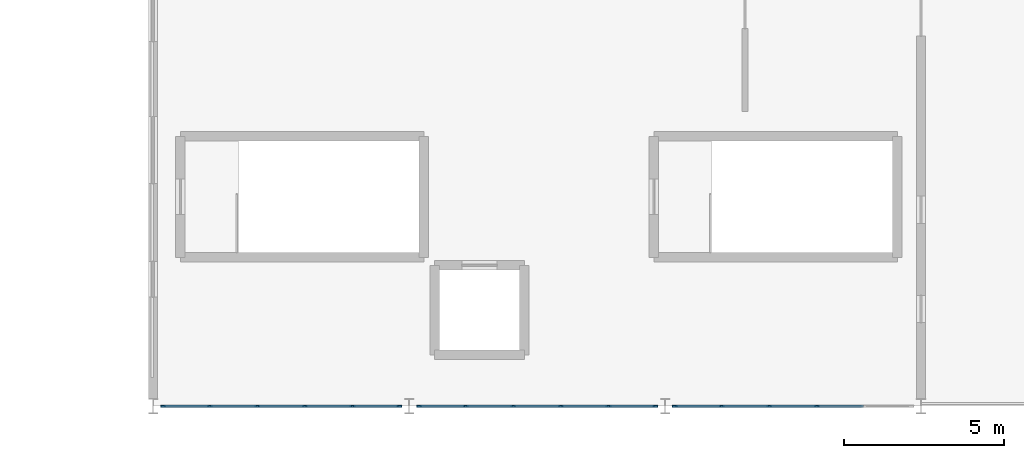
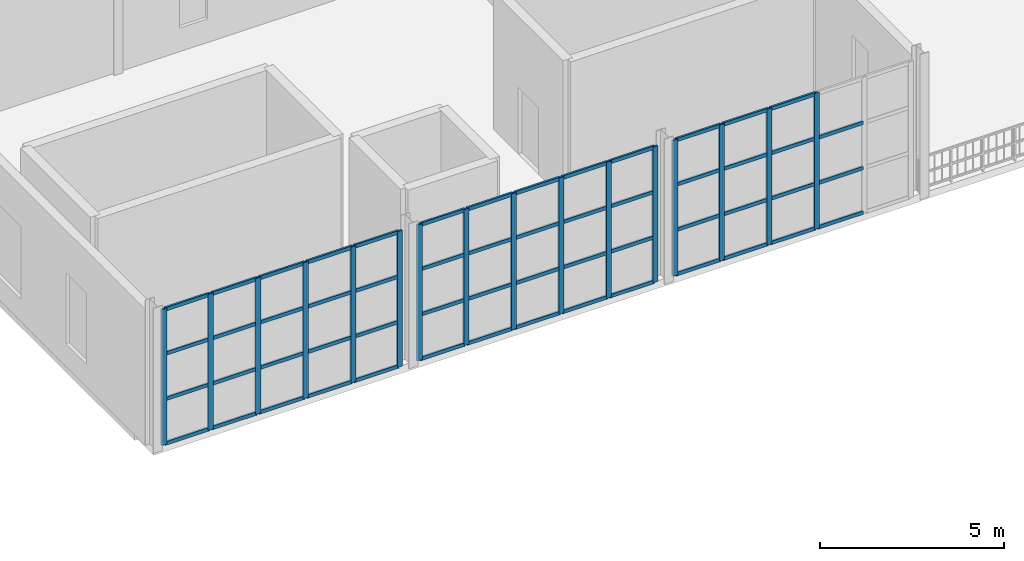
# One storey, part 15 of 61: 71 members, 3 elements without a shape of their own.
"""IFC4 building model written with IfcOpenShell, lengths in metres."""

from ifc_helpers import new_model, si_unit, direction, frame, origin, origin_2d, place, context, subcontext, project, spatial, rectangle, extrude, material, material_profile, profile_set, type_object, element, aggregate, save


model = new_model("IFC4")

# Units and contexts
model_context = context("Model", 3, precision=1e-05, world=origin(), true_north=direction((0.0, 1.0)))
body_context = subcontext(model_context, "Body", "Model", "MODEL_VIEW")
ifc_project = project(units=[si_unit("LENGTHUNIT", "METRE"), si_unit("AREAUNIT", "SQUARE_METRE"), si_unit("VOLUMEUNIT", "CUBIC_METRE"), si_unit("PLANEANGLEUNIT", "RADIAN"), si_unit("MASSUNIT", "GRAM", prefix="KILO")], contexts=[model_context])

# Site, building, storey
site_placement = place(None, origin())
site = spatial("IfcSite", under=ifc_project, at=site_placement, CompositionType="ELEMENT")
building_placement = place(site_placement, origin())
building = spatial("IfcBuilding", under=site, at=building_placement, Name="Serraluz Foothill Cableway Terminal", CompositionType="ELEMENT")
storey_placement = place(building_placement, frame((0.0, 0.0, 15.0)))
storey = spatial("IfcBuildingStorey", under=building, at=storey_placement, Name="L03", CompositionType="ELEMENT", Elevation=15.0)

# Curtain wall, members
ifc_material = material(Name="Architectural bronze alloy C28000", Category="aluminium")
curtain_wall_type_1 = type_object("IfcCurtainWallType", Name="TYP-CW-680X420", PredefinedType="NOTDEFINED", material=ifc_material)
curtain_wall_1_placement = place(storey_placement, origin())
curtain_wall_1 = element("IfcCurtainWall", 1, at=curtain_wall_1_placement, inside=storey, type_object=curtain_wall_type_1, Name="Ribbed Glazed Curtain Wall CW-V3S-L03-96", PredefinedType="NOTDEFINED")
ifc_material_profile_1 = material_profile(ifc_material, rectangle(XDim=0.06005859375, YDim=0.159912109375, at=origin_2d()), Name="ALU MULLION 60x160")
ifc_profile_set_1 = profile_set([ifc_material_profile_1], Name="Architectural bronze alloy C28000")
member_type_1 = type_object("IfcMemberType", Name="TYP-CW-MUL-60X160", PredefinedType="MULLION", material=ifc_profile_set_1)
member_1_placement = place(storey_placement, frame((103.6884765625, 0.0, 0.0), z_axis=(0.0, 0.0, 1.0), x_axis=(0.0, -1.0, 0.0)))
member_1 = element("IfcMember", 2, at=member_1_placement, type_object=member_type_1, Name="CW-13 mullion 1", PredefinedType="MULLION", context=body_context, shape_type="SweptSolid", body=[
    extrude(rectangle(XDim=0.06005859375, YDim=0.159912109375, at=origin_2d()), origin(), (0.0, 0.0, 1.0), 4.5),
])
member_2_placement = place(storey_placement, frame((102.231201171875, 0.0, 0.0), z_axis=(0.0, 0.0, 1.0), x_axis=(0.0, -1.0, 0.0)))
member_2 = element("IfcMember", 3, at=member_2_placement, type_object=member_type_1, Name="CW-13 mullion 2", PredefinedType="MULLION", context=body_context, shape_type="SweptSolid", body=[
    extrude(rectangle(XDim=0.06005859375, YDim=0.159912109375, at=origin_2d()), origin(), (0.0, 0.0, 1.0), 4.5),
])
member_3_placement = place(storey_placement, frame((100.74365234375, 0.0, 0.0), z_axis=(0.0, 0.0, 1.0), x_axis=(0.0, -1.0, 0.0)))
member_3 = element("IfcMember", 4, at=member_3_placement, type_object=member_type_1, Name="CW-13 mullion 3", PredefinedType="MULLION", context=body_context, shape_type="SweptSolid", body=[
    extrude(rectangle(XDim=0.06005859375, YDim=0.159912109375, at=origin_2d()), origin(), (0.0, 0.0, 1.0), 4.5),
])
member_4_placement = place(storey_placement, frame((99.25634765625, 0.0, 0.0), z_axis=(0.0, 0.0, 1.0), x_axis=(0.0, -1.0, 0.0)))
member_4 = element("IfcMember", 5, at=member_4_placement, type_object=member_type_1, Name="CW-13 mullion 4", PredefinedType="MULLION", context=body_context, shape_type="SweptSolid", body=[
    extrude(rectangle(XDim=0.06005859375, YDim=0.159912109375, at=origin_2d()), origin(), (0.0, 0.0, 1.0), 4.5),
])
member_5_placement = place(storey_placement, frame((97.768798828125, 0.0, 0.0), z_axis=(0.0, 0.0, 1.0), x_axis=(0.0, -1.0, 0.0)))
member_5 = element("IfcMember", 6, at=member_5_placement, type_object=member_type_1, Name="CW-13 mullion 5", PredefinedType="MULLION", context=body_context, shape_type="SweptSolid", body=[
    extrude(rectangle(XDim=0.06005859375, YDim=0.159912109375, at=origin_2d()), origin(), (0.0, 0.0, 1.0), 4.5),
])
member_6_placement = place(storey_placement, frame((96.3115234375, 0.0, 0.0), z_axis=(0.0, 0.0, 1.0), x_axis=(0.0, -1.0, 0.0)))
member_6 = element("IfcMember", 7, at=member_6_placement, type_object=member_type_1, Name="CW-13 mullion 6", PredefinedType="MULLION", context=body_context, shape_type="SweptSolid", body=[
    extrude(rectangle(XDim=0.06005859375, YDim=0.159912109375, at=origin_2d()), origin(), (0.0, 0.0, 1.0), 4.5),
])

curtain_wall_type_2 = type_object("IfcCurtainWallType", Name="TYP-CW-480X380", PredefinedType="NOTDEFINED", material=ifc_material)
curtain_wall_2_placement = place(storey_placement, origin())
curtain_wall_2 = element("IfcCurtainWall", 8, at=curtain_wall_2_placement, inside=storey, type_object=curtain_wall_type_2, Name="Ribbed Glazed Curtain Wall CW-V3S-L03-104", PredefinedType="NOTDEFINED")
member_7_placement = place(storey_placement, frame((111.6884765625, 0.0, 0.0), z_axis=(0.0, 0.0, 1.0), x_axis=(0.0, -1.0, 0.0)))
member_7 = element("IfcMember", 9, at=member_7_placement, type_object=member_type_1, Name="CW-14 mullion 1", PredefinedType="MULLION", context=body_context, shape_type="SweptSolid", body=[
    extrude(rectangle(XDim=0.06005859375, YDim=0.159912109375, at=origin_2d()), origin(), (0.0, 0.0, 1.0), 4.5),
])
member_8_placement = place(storey_placement, frame((110.231201171875, 0.0, 0.0), z_axis=(0.0, 0.0, 1.0), x_axis=(0.0, -1.0, 0.0)))
member_8 = element("IfcMember", 10, at=member_8_placement, type_object=member_type_1, Name="CW-14 mullion 2", PredefinedType="MULLION", context=body_context, shape_type="SweptSolid", body=[
    extrude(rectangle(XDim=0.06005859375, YDim=0.159912109375, at=origin_2d()), origin(), (0.0, 0.0, 1.0), 4.5),
])
member_9_placement = place(storey_placement, frame((108.74365234375, 0.0, 0.0), z_axis=(0.0, 0.0, 1.0), x_axis=(0.0, -1.0, 0.0)))
member_9 = element("IfcMember", 11, at=member_9_placement, type_object=member_type_1, Name="CW-14 mullion 3", PredefinedType="MULLION", context=body_context, shape_type="SweptSolid", body=[
    extrude(rectangle(XDim=0.06005859375, YDim=0.159912109375, at=origin_2d()), origin(), (0.0, 0.0, 1.0), 4.5),
])
member_10_placement = place(storey_placement, frame((107.25634765625, 0.0, 0.0), z_axis=(0.0, 0.0, 1.0), x_axis=(0.0, -1.0, 0.0)))
member_10 = element("IfcMember", 12, at=member_10_placement, type_object=member_type_1, Name="CW-14 mullion 4", PredefinedType="MULLION", context=body_context, shape_type="SweptSolid", body=[
    extrude(rectangle(XDim=0.06005859375, YDim=0.159912109375, at=origin_2d()), origin(), (0.0, 0.0, 1.0), 4.5),
])
member_11_placement = place(storey_placement, frame((105.768798828125, 0.0, 0.0), z_axis=(0.0, 0.0, 1.0), x_axis=(0.0, -1.0, 0.0)))
member_11 = element("IfcMember", 13, at=member_11_placement, type_object=member_type_1, Name="CW-14 mullion 5", PredefinedType="MULLION", context=body_context, shape_type="SweptSolid", body=[
    extrude(rectangle(XDim=0.06005859375, YDim=0.159912109375, at=origin_2d()), origin(), (0.0, 0.0, 1.0), 4.5),
])
member_12_placement = place(storey_placement, frame((104.3115234375, 0.0, 0.0), z_axis=(0.0, 0.0, 1.0), x_axis=(0.0, -1.0, 0.0)))
member_12 = element("IfcMember", 14, at=member_12_placement, type_object=member_type_1, Name="CW-14 mullion 6", PredefinedType="MULLION", context=body_context, shape_type="SweptSolid", body=[
    extrude(rectangle(XDim=0.06005859375, YDim=0.159912109375, at=origin_2d()), origin(), (0.0, 0.0, 1.0), 4.5),
])

curtain_wall_type_3 = type_object("IfcCurtainWallType", Name="TYP-CW-480X420", PredefinedType="NOTDEFINED", material=ifc_material)
curtain_wall_3_placement = place(storey_placement, origin())
curtain_wall_3 = element("IfcCurtainWall", 15, at=curtain_wall_3_placement, inside=storey, type_object=curtain_wall_type_3, Name="Ribbed Glazed Curtain Wall CW-V3S-L03-112", PredefinedType="NOTDEFINED")
member_13_placement = place(storey_placement, frame((116.74365234375, 0.0, 0.0), z_axis=(0.0, 0.0, 1.0), x_axis=(0.0, -1.0, 0.0)))
member_13 = element("IfcMember", 16, at=member_13_placement, type_object=member_type_1, Name="CW-15 mullion 3", PredefinedType="MULLION", context=body_context, shape_type="SweptSolid", body=[
    extrude(rectangle(XDim=0.06005859375, YDim=0.159912109375, at=origin_2d()), origin(), (0.0, 0.0, 1.0), 4.5),
])
member_14_placement = place(storey_placement, frame((115.25634765625, 0.0, 0.0), z_axis=(0.0, 0.0, 1.0), x_axis=(0.0, -1.0, 0.0)))
member_14 = element("IfcMember", 17, at=member_14_placement, type_object=member_type_1, Name="CW-15 mullion 4", PredefinedType="MULLION", context=body_context, shape_type="SweptSolid", body=[
    extrude(rectangle(XDim=0.06005859375, YDim=0.159912109375, at=origin_2d()), origin(), (0.0, 0.0, 1.0), 4.5),
])
member_15_placement = place(storey_placement, frame((113.768798828125, 0.0, 0.0), z_axis=(0.0, 0.0, 1.0), x_axis=(0.0, -1.0, 0.0)))
member_15 = element("IfcMember", 18, at=member_15_placement, type_object=member_type_1, Name="CW-15 mullion 5", PredefinedType="MULLION", context=body_context, shape_type="SweptSolid", body=[
    extrude(rectangle(XDim=0.06005859375, YDim=0.159912109375, at=origin_2d()), origin(), (0.0, 0.0, 1.0), 4.5),
])
member_16_placement = place(storey_placement, frame((112.3115234375, 0.0, 0.0), z_axis=(0.0, 0.0, 1.0), x_axis=(0.0, -1.0, 0.0)))
member_16 = element("IfcMember", 19, at=member_16_placement, type_object=member_type_1, Name="CW-15 mullion 6", PredefinedType="MULLION", context=body_context, shape_type="SweptSolid", body=[
    extrude(rectangle(XDim=0.06005859375, YDim=0.159912109375, at=origin_2d()), origin(), (0.0, 0.0, 1.0), 4.5),
])

# Member
ifc_material_profile_2 = material_profile(ifc_material, rectangle(XDim=0.06005859375, YDim=0.1201171875, at=origin_2d()), Name="ALU TRANSOM 60x120")
ifc_profile_set_2 = profile_set([ifc_material_profile_2], Name="Architectural bronze alloy C28000")
member_type_2 = type_object("IfcMemberType", Name="TYP-CW-TRN-60X120", PredefinedType="USERDEFINED", material=ifc_profile_set_2)
member_17_placement = place(storey_placement, frame((103.658447265625, 0.0, 0.030029296875), z_axis=(-1.0, 0.0, 0.0), x_axis=(0.0, -1.0, 0.0)))
member_17 = element("IfcMember", 20, at=member_17_placement, type_object=member_type_2, Name="CW-13 transom 1.1", ObjectType="TRANSOM", PredefinedType="USERDEFINED", context=body_context, shape_type="SweptSolid", body=[
    extrude(rectangle(XDim=0.06005859375, YDim=0.1201171875, at=origin_2d()), origin(), (0.0, 0.0, 1.0), 1.3974609375),
])

member_18_placement = place(storey_placement, frame((103.658447265625, 0.0, 1.5), z_axis=(-1.0, 0.0, 0.0), x_axis=(0.0, -1.0, 0.0)))
member_18 = element("IfcMember", 21, at=member_18_placement, type_object=member_type_2, Name="CW-13 transom 1.2", ObjectType="TRANSOM", PredefinedType="USERDEFINED", context=body_context, shape_type="SweptSolid", body=[
    extrude(rectangle(XDim=0.06005859375, YDim=0.1201171875, at=origin_2d()), origin(), (0.0, 0.0, 1.0), 1.3974609375),
])

member_19_placement = place(storey_placement, frame((103.658447265625, 0.0, 3.0), z_axis=(-1.0, 0.0, 0.0), x_axis=(0.0, -1.0, 0.0)))
member_19 = element("IfcMember", 22, at=member_19_placement, type_object=member_type_2, Name="CW-13 transom 1.3", ObjectType="TRANSOM", PredefinedType="USERDEFINED", context=body_context, shape_type="SweptSolid", body=[
    extrude(rectangle(XDim=0.06005859375, YDim=0.1201171875, at=origin_2d()), origin(), (0.0, 0.0, 1.0), 1.3974609375),
])

member_20_placement = place(storey_placement, frame((103.658447265625, 0.0, 4.469970703125), z_axis=(-1.0, 0.0, 0.0), x_axis=(0.0, -1.0, 0.0)))
member_20 = element("IfcMember", 23, at=member_20_placement, type_object=member_type_2, Name="CW-13 transom 1.4", ObjectType="TRANSOM", PredefinedType="USERDEFINED", context=body_context, shape_type="SweptSolid", body=[
    extrude(rectangle(XDim=0.06005859375, YDim=0.1201171875, at=origin_2d()), origin(), (0.0, 0.0, 1.0), 1.3974609375),
])

member_21_placement = place(storey_placement, frame((102.201171875, 0.0, 0.030029296875), z_axis=(-1.0, 0.0, 0.0), x_axis=(0.0, -1.0, 0.0)))
member_21 = element("IfcMember", 24, at=member_21_placement, type_object=member_type_2, Name="CW-13 transom 2.1", ObjectType="TRANSOM", PredefinedType="USERDEFINED", context=body_context, shape_type="SweptSolid", body=[
    extrude(rectangle(XDim=0.06005859375, YDim=0.1201171875, at=origin_2d()), origin(), (0.0, 0.0, 1.0), 1.427490234375),
])

member_22_placement = place(storey_placement, frame((102.201171875, 0.0, 1.5), z_axis=(-1.0, 0.0, 0.0), x_axis=(0.0, -1.0, 0.0)))
member_22 = element("IfcMember", 25, at=member_22_placement, type_object=member_type_2, Name="CW-13 transom 2.2", ObjectType="TRANSOM", PredefinedType="USERDEFINED", context=body_context, shape_type="SweptSolid", body=[
    extrude(rectangle(XDim=0.06005859375, YDim=0.1201171875, at=origin_2d()), origin(), (0.0, 0.0, 1.0), 1.427490234375),
])

member_23_placement = place(storey_placement, frame((102.201171875, 0.0, 3.0), z_axis=(-1.0, 0.0, 0.0), x_axis=(0.0, -1.0, 0.0)))
member_23 = element("IfcMember", 26, at=member_23_placement, type_object=member_type_2, Name="CW-13 transom 2.3", ObjectType="TRANSOM", PredefinedType="USERDEFINED", context=body_context, shape_type="SweptSolid", body=[
    extrude(rectangle(XDim=0.06005859375, YDim=0.1201171875, at=origin_2d()), origin(), (0.0, 0.0, 1.0), 1.427490234375),
])

member_24_placement = place(storey_placement, frame((102.201171875, 0.0, 4.469970703125), z_axis=(-1.0, 0.0, 0.0), x_axis=(0.0, -1.0, 0.0)))
member_24 = element("IfcMember", 27, at=member_24_placement, type_object=member_type_2, Name="CW-13 transom 2.4", ObjectType="TRANSOM", PredefinedType="USERDEFINED", context=body_context, shape_type="SweptSolid", body=[
    extrude(rectangle(XDim=0.06005859375, YDim=0.1201171875, at=origin_2d()), origin(), (0.0, 0.0, 1.0), 1.427490234375),
])

member_25_placement = place(storey_placement, frame((100.713623046875, 0.0, 0.030029296875), z_axis=(-1.0, 0.0, 0.0), x_axis=(0.0, -1.0, 0.0)))
member_25 = element("IfcMember", 28, at=member_25_placement, type_object=member_type_2, Name="CW-13 transom 3.1", ObjectType="TRANSOM", PredefinedType="USERDEFINED", context=body_context, shape_type="SweptSolid", body=[
    extrude(rectangle(XDim=0.06005859375, YDim=0.1201171875, at=origin_2d()), origin(), (0.0, 0.0, 1.0), 1.42724609375),
])

member_26_placement = place(storey_placement, frame((100.713623046875, 0.0, 1.5), z_axis=(-1.0, 0.0, 0.0), x_axis=(0.0, -1.0, 0.0)))
member_26 = element("IfcMember", 29, at=member_26_placement, type_object=member_type_2, Name="CW-13 transom 3.2", ObjectType="TRANSOM", PredefinedType="USERDEFINED", context=body_context, shape_type="SweptSolid", body=[
    extrude(rectangle(XDim=0.06005859375, YDim=0.1201171875, at=origin_2d()), origin(), (0.0, 0.0, 1.0), 1.42724609375),
])

member_27_placement = place(storey_placement, frame((100.713623046875, 0.0, 3.0), z_axis=(-1.0, 0.0, 0.0), x_axis=(0.0, -1.0, 0.0)))
member_27 = element("IfcMember", 30, at=member_27_placement, type_object=member_type_2, Name="CW-13 transom 3.3", ObjectType="TRANSOM", PredefinedType="USERDEFINED", context=body_context, shape_type="SweptSolid", body=[
    extrude(rectangle(XDim=0.06005859375, YDim=0.1201171875, at=origin_2d()), origin(), (0.0, 0.0, 1.0), 1.42724609375),
])

member_28_placement = place(storey_placement, frame((100.713623046875, 0.0, 4.469970703125), z_axis=(-1.0, 0.0, 0.0), x_axis=(0.0, -1.0, 0.0)))
member_28 = element("IfcMember", 31, at=member_28_placement, type_object=member_type_2, Name="CW-13 transom 3.4", ObjectType="TRANSOM", PredefinedType="USERDEFINED", context=body_context, shape_type="SweptSolid", body=[
    extrude(rectangle(XDim=0.06005859375, YDim=0.1201171875, at=origin_2d()), origin(), (0.0, 0.0, 1.0), 1.42724609375),
])

member_29_placement = place(storey_placement, frame((99.226318359375, 0.0, 0.030029296875), z_axis=(-1.0, 0.0, 0.0), x_axis=(0.0, -1.0, 0.0)))
member_29 = element("IfcMember", 32, at=member_29_placement, type_object=member_type_2, Name="CW-13 transom 4.1", ObjectType="TRANSOM", PredefinedType="USERDEFINED", context=body_context, shape_type="SweptSolid", body=[
    extrude(rectangle(XDim=0.06005859375, YDim=0.1201171875, at=origin_2d()), origin(), (0.0, 0.0, 1.0), 1.427490234375),
])

member_30_placement = place(storey_placement, frame((99.226318359375, 0.0, 1.5), z_axis=(-1.0, 0.0, 0.0), x_axis=(0.0, -1.0, 0.0)))
member_30 = element("IfcMember", 33, at=member_30_placement, type_object=member_type_2, Name="CW-13 transom 4.2", ObjectType="TRANSOM", PredefinedType="USERDEFINED", context=body_context, shape_type="SweptSolid", body=[
    extrude(rectangle(XDim=0.06005859375, YDim=0.1201171875, at=origin_2d()), origin(), (0.0, 0.0, 1.0), 1.427490234375),
])

member_31_placement = place(storey_placement, frame((99.226318359375, 0.0, 3.0), z_axis=(-1.0, 0.0, 0.0), x_axis=(0.0, -1.0, 0.0)))
member_31 = element("IfcMember", 34, at=member_31_placement, type_object=member_type_2, Name="CW-13 transom 4.3", ObjectType="TRANSOM", PredefinedType="USERDEFINED", context=body_context, shape_type="SweptSolid", body=[
    extrude(rectangle(XDim=0.06005859375, YDim=0.1201171875, at=origin_2d()), origin(), (0.0, 0.0, 1.0), 1.427490234375),
])

member_32_placement = place(storey_placement, frame((99.226318359375, 0.0, 4.469970703125), z_axis=(-1.0, 0.0, 0.0), x_axis=(0.0, -1.0, 0.0)))
member_32 = element("IfcMember", 35, at=member_32_placement, type_object=member_type_2, Name="CW-13 transom 4.4", ObjectType="TRANSOM", PredefinedType="USERDEFINED", context=body_context, shape_type="SweptSolid", body=[
    extrude(rectangle(XDim=0.06005859375, YDim=0.1201171875, at=origin_2d()), origin(), (0.0, 0.0, 1.0), 1.427490234375),
])

member_33_placement = place(storey_placement, frame((97.739013671875, 0.0, 0.030029296875), z_axis=(-1.0, 0.0, 0.0), x_axis=(0.0, -1.0, 0.0)))
member_33 = element("IfcMember", 36, at=member_33_placement, type_object=member_type_2, Name="CW-13 transom 5.1", ObjectType="TRANSOM", PredefinedType="USERDEFINED", context=body_context, shape_type="SweptSolid", body=[
    extrude(rectangle(XDim=0.06005859375, YDim=0.1201171875, at=origin_2d()), origin(), (0.0, 0.0, 1.0), 1.3974609375),
])

member_34_placement = place(storey_placement, frame((97.739013671875, 0.0, 1.5), z_axis=(-1.0, 0.0, 0.0), x_axis=(0.0, -1.0, 0.0)))
member_34 = element("IfcMember", 37, at=member_34_placement, type_object=member_type_2, Name="CW-13 transom 5.2", ObjectType="TRANSOM", PredefinedType="USERDEFINED", context=body_context, shape_type="SweptSolid", body=[
    extrude(rectangle(XDim=0.06005859375, YDim=0.1201171875, at=origin_2d()), origin(), (0.0, 0.0, 1.0), 1.3974609375),
])

member_35_placement = place(storey_placement, frame((97.739013671875, 0.0, 3.0), z_axis=(-1.0, 0.0, 0.0), x_axis=(0.0, -1.0, 0.0)))
member_35 = element("IfcMember", 38, at=member_35_placement, type_object=member_type_2, Name="CW-13 transom 5.3", ObjectType="TRANSOM", PredefinedType="USERDEFINED", context=body_context, shape_type="SweptSolid", body=[
    extrude(rectangle(XDim=0.06005859375, YDim=0.1201171875, at=origin_2d()), origin(), (0.0, 0.0, 1.0), 1.3974609375),
])

member_36_placement = place(storey_placement, frame((97.739013671875, 0.0, 4.469970703125), z_axis=(-1.0, 0.0, 0.0), x_axis=(0.0, -1.0, 0.0)))
member_36 = element("IfcMember", 39, at=member_36_placement, type_object=member_type_2, Name="CW-13 transom 5.4", ObjectType="TRANSOM", PredefinedType="USERDEFINED", context=body_context, shape_type="SweptSolid", body=[
    extrude(rectangle(XDim=0.06005859375, YDim=0.1201171875, at=origin_2d()), origin(), (0.0, 0.0, 1.0), 1.3974609375),
])

aggregate(curtain_wall_1, [member_1, member_2, member_3, member_4, member_5, member_6, member_17, member_18, member_19, member_20, member_21, member_22, member_23, member_24, member_25, member_26, member_27, member_28, member_29, member_30, member_31, member_32, member_33, member_34, member_35, member_36])

member_37_placement = place(storey_placement, frame((111.658447265625, 0.0, 0.030029296875), z_axis=(-1.0, 0.0, 0.0), x_axis=(0.0, -1.0, 0.0)))
member_37 = element("IfcMember", 40, at=member_37_placement, type_object=member_type_2, Name="CW-14 transom 1.1", ObjectType="TRANSOM", PredefinedType="USERDEFINED", context=body_context, shape_type="SweptSolid", body=[
    extrude(rectangle(XDim=0.06005859375, YDim=0.1201171875, at=origin_2d()), origin(), (0.0, 0.0, 1.0), 1.3974609375),
])

member_38_placement = place(storey_placement, frame((111.658447265625, 0.0, 1.5), z_axis=(-1.0, 0.0, 0.0), x_axis=(0.0, -1.0, 0.0)))
member_38 = element("IfcMember", 41, at=member_38_placement, type_object=member_type_2, Name="CW-14 transom 1.2", ObjectType="TRANSOM", PredefinedType="USERDEFINED", context=body_context, shape_type="SweptSolid", body=[
    extrude(rectangle(XDim=0.06005859375, YDim=0.1201171875, at=origin_2d()), origin(), (0.0, 0.0, 1.0), 1.3974609375),
])

member_39_placement = place(storey_placement, frame((111.658447265625, 0.0, 3.0), z_axis=(-1.0, 0.0, 0.0), x_axis=(0.0, -1.0, 0.0)))
member_39 = element("IfcMember", 42, at=member_39_placement, type_object=member_type_2, Name="CW-14 transom 1.3", ObjectType="TRANSOM", PredefinedType="USERDEFINED", context=body_context, shape_type="SweptSolid", body=[
    extrude(rectangle(XDim=0.06005859375, YDim=0.1201171875, at=origin_2d()), origin(), (0.0, 0.0, 1.0), 1.3974609375),
])

member_40_placement = place(storey_placement, frame((111.658447265625, 0.0, 4.469970703125), z_axis=(-1.0, 0.0, 0.0), x_axis=(0.0, -1.0, 0.0)))
member_40 = element("IfcMember", 43, at=member_40_placement, type_object=member_type_2, Name="CW-14 transom 1.4", ObjectType="TRANSOM", PredefinedType="USERDEFINED", context=body_context, shape_type="SweptSolid", body=[
    extrude(rectangle(XDim=0.06005859375, YDim=0.1201171875, at=origin_2d()), origin(), (0.0, 0.0, 1.0), 1.3974609375),
])

member_41_placement = place(storey_placement, frame((110.201171875, 0.0, 0.030029296875), z_axis=(-1.0, 0.0, 0.0), x_axis=(0.0, -1.0, 0.0)))
member_41 = element("IfcMember", 44, at=member_41_placement, type_object=member_type_2, Name="CW-14 transom 2.1", ObjectType="TRANSOM", PredefinedType="USERDEFINED", context=body_context, shape_type="SweptSolid", body=[
    extrude(rectangle(XDim=0.06005859375, YDim=0.1201171875, at=origin_2d()), origin(), (0.0, 0.0, 1.0), 1.427490234375),
])

member_42_placement = place(storey_placement, frame((110.201171875, 0.0, 1.5), z_axis=(-1.0, 0.0, 0.0), x_axis=(0.0, -1.0, 0.0)))
member_42 = element("IfcMember", 45, at=member_42_placement, type_object=member_type_2, Name="CW-14 transom 2.2", ObjectType="TRANSOM", PredefinedType="USERDEFINED", context=body_context, shape_type="SweptSolid", body=[
    extrude(rectangle(XDim=0.06005859375, YDim=0.1201171875, at=origin_2d()), origin(), (0.0, 0.0, 1.0), 1.427490234375),
])

member_43_placement = place(storey_placement, frame((110.201171875, 0.0, 3.0), z_axis=(-1.0, 0.0, 0.0), x_axis=(0.0, -1.0, 0.0)))
member_43 = element("IfcMember", 46, at=member_43_placement, type_object=member_type_2, Name="CW-14 transom 2.3", ObjectType="TRANSOM", PredefinedType="USERDEFINED", context=body_context, shape_type="SweptSolid", body=[
    extrude(rectangle(XDim=0.06005859375, YDim=0.1201171875, at=origin_2d()), origin(), (0.0, 0.0, 1.0), 1.427490234375),
])

member_44_placement = place(storey_placement, frame((110.201171875, 0.0, 4.469970703125), z_axis=(-1.0, 0.0, 0.0), x_axis=(0.0, -1.0, 0.0)))
member_44 = element("IfcMember", 47, at=member_44_placement, type_object=member_type_2, Name="CW-14 transom 2.4", ObjectType="TRANSOM", PredefinedType="USERDEFINED", context=body_context, shape_type="SweptSolid", body=[
    extrude(rectangle(XDim=0.06005859375, YDim=0.1201171875, at=origin_2d()), origin(), (0.0, 0.0, 1.0), 1.427490234375),
])

member_45_placement = place(storey_placement, frame((108.713623046875, 0.0, 0.030029296875), z_axis=(-1.0, 0.0, 0.0), x_axis=(0.0, -1.0, 0.0)))
member_45 = element("IfcMember", 48, at=member_45_placement, type_object=member_type_2, Name="CW-14 transom 3.1", ObjectType="TRANSOM", PredefinedType="USERDEFINED", context=body_context, shape_type="SweptSolid", body=[
    extrude(rectangle(XDim=0.06005859375, YDim=0.1201171875, at=origin_2d()), origin(), (0.0, 0.0, 1.0), 1.42724609375),
])

member_46_placement = place(storey_placement, frame((108.713623046875, 0.0, 1.5), z_axis=(-1.0, 0.0, 0.0), x_axis=(0.0, -1.0, 0.0)))
member_46 = element("IfcMember", 49, at=member_46_placement, type_object=member_type_2, Name="CW-14 transom 3.2", ObjectType="TRANSOM", PredefinedType="USERDEFINED", context=body_context, shape_type="SweptSolid", body=[
    extrude(rectangle(XDim=0.06005859375, YDim=0.1201171875, at=origin_2d()), origin(), (0.0, 0.0, 1.0), 1.42724609375),
])

member_47_placement = place(storey_placement, frame((108.713623046875, 0.0, 3.0), z_axis=(-1.0, 0.0, 0.0), x_axis=(0.0, -1.0, 0.0)))
member_47 = element("IfcMember", 50, at=member_47_placement, type_object=member_type_2, Name="CW-14 transom 3.3", ObjectType="TRANSOM", PredefinedType="USERDEFINED", context=body_context, shape_type="SweptSolid", body=[
    extrude(rectangle(XDim=0.06005859375, YDim=0.1201171875, at=origin_2d()), origin(), (0.0, 0.0, 1.0), 1.42724609375),
])

member_48_placement = place(storey_placement, frame((108.713623046875, 0.0, 4.469970703125), z_axis=(-1.0, 0.0, 0.0), x_axis=(0.0, -1.0, 0.0)))
member_48 = element("IfcMember", 51, at=member_48_placement, type_object=member_type_2, Name="CW-14 transom 3.4", ObjectType="TRANSOM", PredefinedType="USERDEFINED", context=body_context, shape_type="SweptSolid", body=[
    extrude(rectangle(XDim=0.06005859375, YDim=0.1201171875, at=origin_2d()), origin(), (0.0, 0.0, 1.0), 1.42724609375),
])

member_49_placement = place(storey_placement, frame((107.226318359375, 0.0, 0.030029296875), z_axis=(-1.0, 0.0, 0.0), x_axis=(0.0, -1.0, 0.0)))
member_49 = element("IfcMember", 52, at=member_49_placement, type_object=member_type_2, Name="CW-14 transom 4.1", ObjectType="TRANSOM", PredefinedType="USERDEFINED", context=body_context, shape_type="SweptSolid", body=[
    extrude(rectangle(XDim=0.06005859375, YDim=0.1201171875, at=origin_2d()), origin(), (0.0, 0.0, 1.0), 1.427490234375),
])

member_50_placement = place(storey_placement, frame((107.226318359375, 0.0, 1.5), z_axis=(-1.0, 0.0, 0.0), x_axis=(0.0, -1.0, 0.0)))
member_50 = element("IfcMember", 53, at=member_50_placement, type_object=member_type_2, Name="CW-14 transom 4.2", ObjectType="TRANSOM", PredefinedType="USERDEFINED", context=body_context, shape_type="SweptSolid", body=[
    extrude(rectangle(XDim=0.06005859375, YDim=0.1201171875, at=origin_2d()), origin(), (0.0, 0.0, 1.0), 1.427490234375),
])

member_51_placement = place(storey_placement, frame((107.226318359375, 0.0, 3.0), z_axis=(-1.0, 0.0, 0.0), x_axis=(0.0, -1.0, 0.0)))
member_51 = element("IfcMember", 54, at=member_51_placement, type_object=member_type_2, Name="CW-14 transom 4.3", ObjectType="TRANSOM", PredefinedType="USERDEFINED", context=body_context, shape_type="SweptSolid", body=[
    extrude(rectangle(XDim=0.06005859375, YDim=0.1201171875, at=origin_2d()), origin(), (0.0, 0.0, 1.0), 1.427490234375),
])

member_52_placement = place(storey_placement, frame((107.226318359375, 0.0, 4.469970703125), z_axis=(-1.0, 0.0, 0.0), x_axis=(0.0, -1.0, 0.0)))
member_52 = element("IfcMember", 55, at=member_52_placement, type_object=member_type_2, Name="CW-14 transom 4.4", ObjectType="TRANSOM", PredefinedType="USERDEFINED", context=body_context, shape_type="SweptSolid", body=[
    extrude(rectangle(XDim=0.06005859375, YDim=0.1201171875, at=origin_2d()), origin(), (0.0, 0.0, 1.0), 1.427490234375),
])

member_53_placement = place(storey_placement, frame((105.739013671875, 0.0, 0.030029296875), z_axis=(-1.0, 0.0, 0.0), x_axis=(0.0, -1.0, 0.0)))
member_53 = element("IfcMember", 56, at=member_53_placement, type_object=member_type_2, Name="CW-14 transom 5.1", ObjectType="TRANSOM", PredefinedType="USERDEFINED", context=body_context, shape_type="SweptSolid", body=[
    extrude(rectangle(XDim=0.06005859375, YDim=0.1201171875, at=origin_2d()), origin(), (0.0, 0.0, 1.0), 1.3974609375),
])

member_54_placement = place(storey_placement, frame((105.739013671875, 0.0, 1.5), z_axis=(-1.0, 0.0, 0.0), x_axis=(0.0, -1.0, 0.0)))
member_54 = element("IfcMember", 57, at=member_54_placement, type_object=member_type_2, Name="CW-14 transom 5.2", ObjectType="TRANSOM", PredefinedType="USERDEFINED", context=body_context, shape_type="SweptSolid", body=[
    extrude(rectangle(XDim=0.06005859375, YDim=0.1201171875, at=origin_2d()), origin(), (0.0, 0.0, 1.0), 1.3974609375),
])

member_55_placement = place(storey_placement, frame((105.739013671875, 0.0, 3.0), z_axis=(-1.0, 0.0, 0.0), x_axis=(0.0, -1.0, 0.0)))
member_55 = element("IfcMember", 58, at=member_55_placement, type_object=member_type_2, Name="CW-14 transom 5.3", ObjectType="TRANSOM", PredefinedType="USERDEFINED", context=body_context, shape_type="SweptSolid", body=[
    extrude(rectangle(XDim=0.06005859375, YDim=0.1201171875, at=origin_2d()), origin(), (0.0, 0.0, 1.0), 1.3974609375),
])

member_56_placement = place(storey_placement, frame((105.739013671875, 0.0, 4.469970703125), z_axis=(-1.0, 0.0, 0.0), x_axis=(0.0, -1.0, 0.0)))
member_56 = element("IfcMember", 59, at=member_56_placement, type_object=member_type_2, Name="CW-14 transom 5.4", ObjectType="TRANSOM", PredefinedType="USERDEFINED", context=body_context, shape_type="SweptSolid", body=[
    extrude(rectangle(XDim=0.06005859375, YDim=0.1201171875, at=origin_2d()), origin(), (0.0, 0.0, 1.0), 1.3974609375),
])

aggregate(curtain_wall_2, [member_7, member_8, member_9, member_10, member_11, member_12, member_37, member_38, member_39, member_40, member_41, member_42, member_43, member_44, member_45, member_46, member_47, member_48, member_49, member_50, member_51, member_52, member_53, member_54, member_55, member_56])

member_57_placement = place(storey_placement, frame((118.201171875, 0.0, 0.030029296875), z_axis=(-1.0, 0.0, 0.0), x_axis=(0.0, -1.0, 0.0)))
member_57 = element("IfcMember", 60, at=member_57_placement, type_object=member_type_2, Name="CW-15 transom 2.1", ObjectType="TRANSOM", PredefinedType="USERDEFINED", context=body_context, shape_type="SweptSolid", body=[
    extrude(rectangle(XDim=0.06005859375, YDim=0.1201171875, at=origin_2d()), origin(), (0.0, 0.0, 1.0), 1.427490234375),
])

member_58_placement = place(storey_placement, frame((118.201171875, 0.0, 1.5), z_axis=(-1.0, 0.0, 0.0), x_axis=(0.0, -1.0, 0.0)))
member_58 = element("IfcMember", 61, at=member_58_placement, type_object=member_type_2, Name="CW-15 transom 2.2", ObjectType="TRANSOM", PredefinedType="USERDEFINED", context=body_context, shape_type="SweptSolid", body=[
    extrude(rectangle(XDim=0.06005859375, YDim=0.1201171875, at=origin_2d()), origin(), (0.0, 0.0, 1.0), 1.427490234375),
])

member_59_placement = place(storey_placement, frame((118.201171875, 0.0, 3.0), z_axis=(-1.0, 0.0, 0.0), x_axis=(0.0, -1.0, 0.0)))
member_59 = element("IfcMember", 62, at=member_59_placement, type_object=member_type_2, Name="CW-15 transom 2.3", ObjectType="TRANSOM", PredefinedType="USERDEFINED", context=body_context, shape_type="SweptSolid", body=[
    extrude(rectangle(XDim=0.06005859375, YDim=0.1201171875, at=origin_2d()), origin(), (0.0, 0.0, 1.0), 1.427490234375),
])

member_60_placement = place(storey_placement, frame((116.713623046875, 0.0, 0.030029296875), z_axis=(-1.0, 0.0, 0.0), x_axis=(0.0, -1.0, 0.0)))
member_60 = element("IfcMember", 63, at=member_60_placement, type_object=member_type_2, Name="CW-15 transom 3.1", ObjectType="TRANSOM", PredefinedType="USERDEFINED", context=body_context, shape_type="SweptSolid", body=[
    extrude(rectangle(XDim=0.06005859375, YDim=0.1201171875, at=origin_2d()), origin(), (0.0, 0.0, 1.0), 1.42724609375),
])

member_61_placement = place(storey_placement, frame((116.713623046875, 0.0, 1.5), z_axis=(-1.0, 0.0, 0.0), x_axis=(0.0, -1.0, 0.0)))
member_61 = element("IfcMember", 64, at=member_61_placement, type_object=member_type_2, Name="CW-15 transom 3.2", ObjectType="TRANSOM", PredefinedType="USERDEFINED", context=body_context, shape_type="SweptSolid", body=[
    extrude(rectangle(XDim=0.06005859375, YDim=0.1201171875, at=origin_2d()), origin(), (0.0, 0.0, 1.0), 1.42724609375),
])

member_62_placement = place(storey_placement, frame((116.713623046875, 0.0, 3.0), z_axis=(-1.0, 0.0, 0.0), x_axis=(0.0, -1.0, 0.0)))
member_62 = element("IfcMember", 65, at=member_62_placement, type_object=member_type_2, Name="CW-15 transom 3.3", ObjectType="TRANSOM", PredefinedType="USERDEFINED", context=body_context, shape_type="SweptSolid", body=[
    extrude(rectangle(XDim=0.06005859375, YDim=0.1201171875, at=origin_2d()), origin(), (0.0, 0.0, 1.0), 1.42724609375),
])

member_63_placement = place(storey_placement, frame((116.713623046875, 0.0, 4.469970703125), z_axis=(-1.0, 0.0, 0.0), x_axis=(0.0, -1.0, 0.0)))
member_63 = element("IfcMember", 66, at=member_63_placement, type_object=member_type_2, Name="CW-15 transom 3.4", ObjectType="TRANSOM", PredefinedType="USERDEFINED", context=body_context, shape_type="SweptSolid", body=[
    extrude(rectangle(XDim=0.06005859375, YDim=0.1201171875, at=origin_2d()), origin(), (0.0, 0.0, 1.0), 1.42724609375),
])

member_64_placement = place(storey_placement, frame((115.226318359375, 0.0, 0.030029296875), z_axis=(-1.0, 0.0, 0.0), x_axis=(0.0, -1.0, 0.0)))
member_64 = element("IfcMember", 67, at=member_64_placement, type_object=member_type_2, Name="CW-15 transom 4.1", ObjectType="TRANSOM", PredefinedType="USERDEFINED", context=body_context, shape_type="SweptSolid", body=[
    extrude(rectangle(XDim=0.06005859375, YDim=0.1201171875, at=origin_2d()), origin(), (0.0, 0.0, 1.0), 1.427490234375),
])

member_65_placement = place(storey_placement, frame((115.226318359375, 0.0, 1.5), z_axis=(-1.0, 0.0, 0.0), x_axis=(0.0, -1.0, 0.0)))
member_65 = element("IfcMember", 68, at=member_65_placement, type_object=member_type_2, Name="CW-15 transom 4.2", ObjectType="TRANSOM", PredefinedType="USERDEFINED", context=body_context, shape_type="SweptSolid", body=[
    extrude(rectangle(XDim=0.06005859375, YDim=0.1201171875, at=origin_2d()), origin(), (0.0, 0.0, 1.0), 1.427490234375),
])

member_66_placement = place(storey_placement, frame((115.226318359375, 0.0, 3.0), z_axis=(-1.0, 0.0, 0.0), x_axis=(0.0, -1.0, 0.0)))
member_66 = element("IfcMember", 69, at=member_66_placement, type_object=member_type_2, Name="CW-15 transom 4.3", ObjectType="TRANSOM", PredefinedType="USERDEFINED", context=body_context, shape_type="SweptSolid", body=[
    extrude(rectangle(XDim=0.06005859375, YDim=0.1201171875, at=origin_2d()), origin(), (0.0, 0.0, 1.0), 1.427490234375),
])

member_67_placement = place(storey_placement, frame((115.226318359375, 0.0, 4.469970703125), z_axis=(-1.0, 0.0, 0.0), x_axis=(0.0, -1.0, 0.0)))
member_67 = element("IfcMember", 70, at=member_67_placement, type_object=member_type_2, Name="CW-15 transom 4.4", ObjectType="TRANSOM", PredefinedType="USERDEFINED", context=body_context, shape_type="SweptSolid", body=[
    extrude(rectangle(XDim=0.06005859375, YDim=0.1201171875, at=origin_2d()), origin(), (0.0, 0.0, 1.0), 1.427490234375),
])

member_68_placement = place(storey_placement, frame((113.739013671875, 0.0, 0.030029296875), z_axis=(-1.0, 0.0, 0.0), x_axis=(0.0, -1.0, 0.0)))
member_68 = element("IfcMember", 71, at=member_68_placement, type_object=member_type_2, Name="CW-15 transom 5.1", ObjectType="TRANSOM", PredefinedType="USERDEFINED", context=body_context, shape_type="SweptSolid", body=[
    extrude(rectangle(XDim=0.06005859375, YDim=0.1201171875, at=origin_2d()), origin(), (0.0, 0.0, 1.0), 1.3974609375),
])

member_69_placement = place(storey_placement, frame((113.739013671875, 0.0, 1.5), z_axis=(-1.0, 0.0, 0.0), x_axis=(0.0, -1.0, 0.0)))
member_69 = element("IfcMember", 72, at=member_69_placement, type_object=member_type_2, Name="CW-15 transom 5.2", ObjectType="TRANSOM", PredefinedType="USERDEFINED", context=body_context, shape_type="SweptSolid", body=[
    extrude(rectangle(XDim=0.06005859375, YDim=0.1201171875, at=origin_2d()), origin(), (0.0, 0.0, 1.0), 1.3974609375),
])

member_70_placement = place(storey_placement, frame((113.739013671875, 0.0, 3.0), z_axis=(-1.0, 0.0, 0.0), x_axis=(0.0, -1.0, 0.0)))
member_70 = element("IfcMember", 73, at=member_70_placement, type_object=member_type_2, Name="CW-15 transom 5.3", ObjectType="TRANSOM", PredefinedType="USERDEFINED", context=body_context, shape_type="SweptSolid", body=[
    extrude(rectangle(XDim=0.06005859375, YDim=0.1201171875, at=origin_2d()), origin(), (0.0, 0.0, 1.0), 1.3974609375),
])

member_71_placement = place(storey_placement, frame((113.739013671875, 0.0, 4.469970703125), z_axis=(-1.0, 0.0, 0.0), x_axis=(0.0, -1.0, 0.0)))
member_71 = element("IfcMember", 74, at=member_71_placement, type_object=member_type_2, Name="CW-15 transom 5.4", ObjectType="TRANSOM", PredefinedType="USERDEFINED", context=body_context, shape_type="SweptSolid", body=[
    extrude(rectangle(XDim=0.06005859375, YDim=0.1201171875, at=origin_2d()), origin(), (0.0, 0.0, 1.0), 1.3974609375),
])

aggregate(curtain_wall_3, [member_13, member_14, member_15, member_16, member_57, member_58, member_59, member_60, member_61, member_62, member_63, member_64, member_65, member_66, member_67, member_68, member_69, member_70, member_71])

save(model, "model.ifc")
